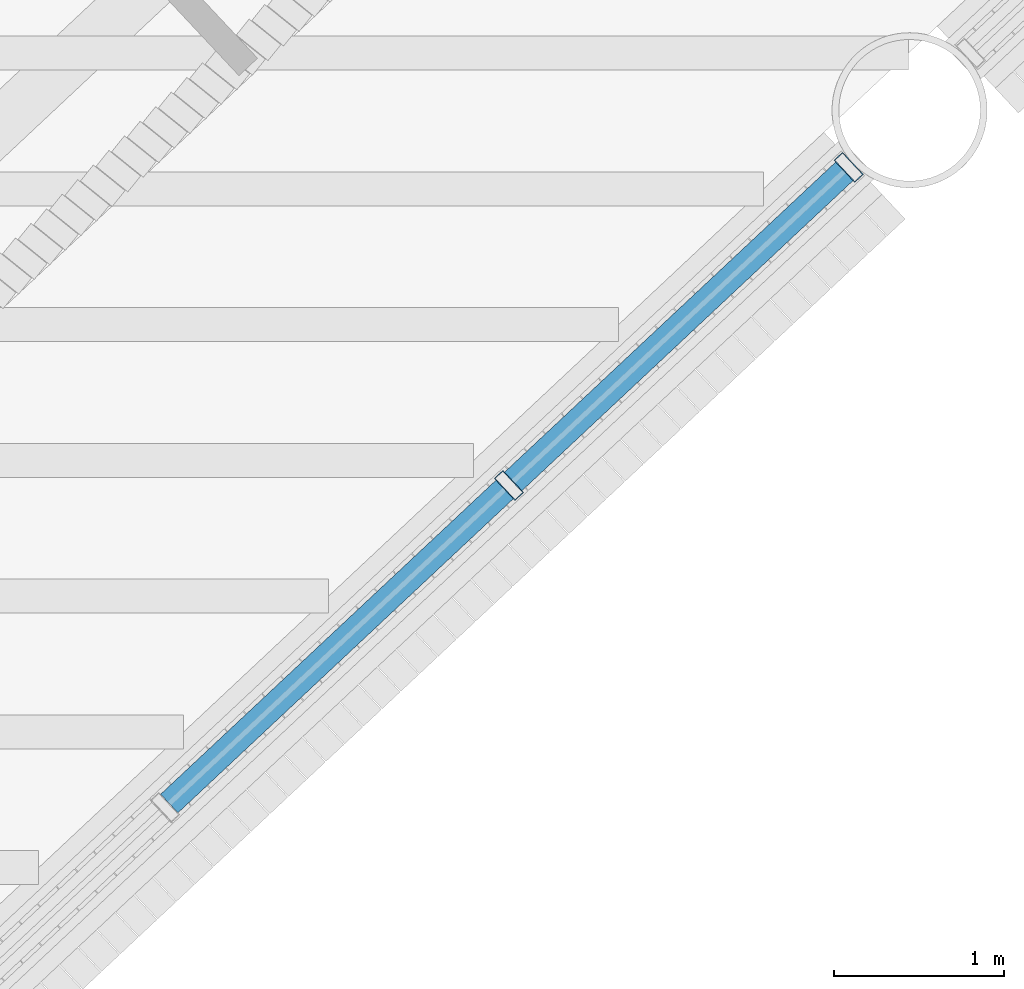
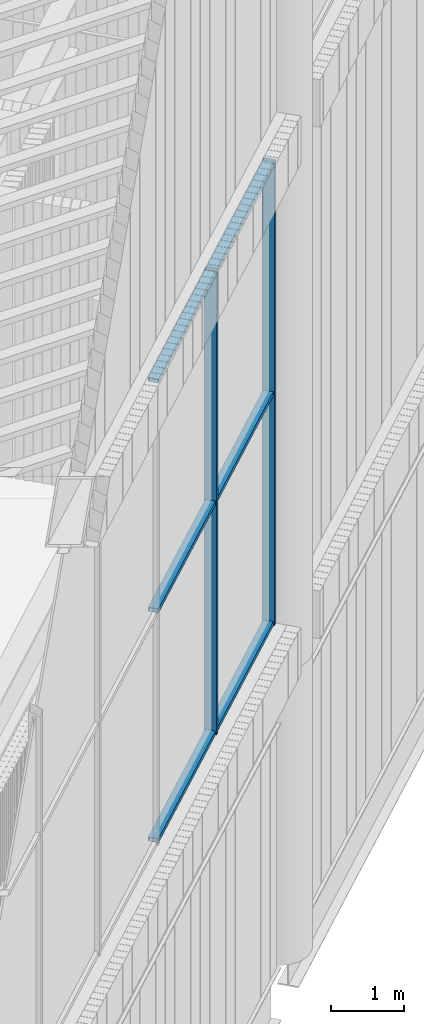
# One storey, part 62 of 117: 8 members, 1 element without a shape of its own.
"""IFC4 building model written with IfcOpenShell, lengths in metres."""

from ifc_helpers import new_model, si_unit, direction, frame, origin, origin_2d, place, context, subcontext, project, spatial, hollow_rectangle, extrude, material, layer, layer_set, material_profile, profile_set, type_object, element, aggregate, save


model = new_model("IFC4")

# Units and contexts
model_context = context("Model", 3, precision=1e-05, world=origin(), true_north=direction((0.0, 1.0)))
body_context = subcontext(model_context, "Body", "Model", "MODEL_VIEW")
ifc_project = project(units=[si_unit("LENGTHUNIT", "METRE"), si_unit("AREAUNIT", "SQUARE_METRE"), si_unit("VOLUMEUNIT", "CUBIC_METRE"), si_unit("PLANEANGLEUNIT", "RADIAN"), si_unit("MASSUNIT", "GRAM", prefix="KILO")], contexts=[model_context])

# Site, building, storey
site_placement = place(None, origin())
site = spatial("IfcSite", under=ifc_project, at=site_placement, CompositionType="ELEMENT")
building_placement = place(site_placement, origin())
building = spatial("IfcBuilding", under=site, at=building_placement, Name="Tarsis Ring Headquarters", CompositionType="ELEMENT")
storey_placement = place(building_placement, frame((0.0, 0.0, 403.60009765625)))
storey = spatial("IfcBuildingStorey", under=building, at=storey_placement, Name="L95", CompositionType="ELEMENT", Elevation=403.60009765625)

# Curtain wall, members
ifc_material_1 = material(Name="Aluminium curtain wall", Category="aluminium")
ifc_layer = layer(ifc_material_1, 0.179931640625)
ifc_layer_set = layer_set([ifc_layer], Name="Curtain wall crown glazing")
curtain_wall_type = type_object("IfcCurtainWallType", Name="Curtain wall crown glazing", PredefinedType="NOTDEFINED", material=ifc_layer_set)
curtain_wall_placement = place(storey_placement, origin())
curtain_wall = element("IfcCurtainWall", 1, at=curtain_wall_placement, inside=storey, type_object=curtain_wall_type, Name="Crown glazing L3", PredefinedType="NOTDEFINED")
ifc_material_2 = material(Name="Aluminium mullion", Category="aluminium")
ifc_material_profile_1 = material_profile(ifc_material_2, hollow_rectangle(XDim=0.179931640625, YDim=0.070068359375, WallThickness=0.0048828125, at=origin_2d()), Name="RHS 180x70x5")
ifc_profile_set_1 = profile_set([ifc_material_profile_1], Name="Aluminium mullion")
member_type_1 = type_object("IfcMemberType", Name="Crown glazing mullion RHS 180x70x5", PredefinedType="MULLION", material=ifc_profile_set_1)
member_1_placement = place(storey_placement, frame((21.426025390625, -27.612060546875, 5.7998046875), z_axis=(0.0, 0.0, 1.0), x_axis=(-0.683528553678, 0.729923774312, 0.0)))
member_1 = element("IfcMember", 2, at=member_1_placement, type_object=member_type_1, Name="CW-C mullion 5", PredefinedType="MULLION", context=body_context, shape_type="SweptSolid", body=[
    extrude(hollow_rectangle(XDim=0.179931640625, YDim=0.070068359375, WallThickness=0.0048828125, at=origin_2d()), origin(), (0.0, 0.0, 1.0), 7.800048828125),
])
member_2_placement = place(storey_placement, frame((23.427734375, -25.737548828125, 5.7998046875), z_axis=(0.0, 0.0, 1.0), x_axis=(-0.683528553678, 0.729923774312, 0.0)))
member_2 = element("IfcMember", 3, at=member_2_placement, type_object=member_type_1, Name="CW-C mullion 6", PredefinedType="MULLION", context=body_context, shape_type="SweptSolid", body=[
    extrude(hollow_rectangle(XDim=0.179931640625, YDim=0.070068359375, WallThickness=0.0048828125, at=origin_2d()), origin(), (0.0, 0.0, 1.0), 7.800048828125),
])
ifc_material_3 = material(Name="Aluminium transom", Category="aluminium")
ifc_material_profile_2 = material_profile(ifc_material_3, hollow_rectangle(XDim=0.14990234375, YDim=0.070068359375, WallThickness=0.0048828125, at=origin_2d()), Name="RHS 150x70x5")
ifc_profile_set_2 = profile_set([ifc_material_profile_2], Name="Aluminium transom")
member_type_2 = type_object("IfcMemberType", Name="Crown glazing transom RHS 150x70x5", PredefinedType="USERDEFINED", material=ifc_profile_set_2)
member_3_placement = place(storey_placement, frame((19.424560546875, -29.486328125, 5.8349609375), z_axis=(0.729947680823, 0.683503023593, 0.0), x_axis=(-0.683503023593, 0.729947680823, 0.0)))
member_3 = element("IfcMember", 4, at=member_3_placement, type_object=member_type_2, Name="CW-C transom 4.1", ObjectType="TRANSOM", PredefinedType="USERDEFINED", context=body_context, shape_type="SweptSolid", body=[
    extrude(hollow_rectangle(XDim=0.14990234375, YDim=0.070068359375, WallThickness=0.0048828125, at=origin_2d()), origin(), (0.0, 0.0, 1.0), 2.70703125),
])
member_4_placement = place(storey_placement, frame((19.424560546875, -29.486328125, 9.699951171875), z_axis=(0.729947680823, 0.683503023593, 0.0), x_axis=(-0.683503023593, 0.729947680823, 0.0)))
member_4 = element("IfcMember", 5, at=member_4_placement, type_object=member_type_2, Name="CW-C transom 4.2", ObjectType="TRANSOM", PredefinedType="USERDEFINED", context=body_context, shape_type="SweptSolid", body=[
    extrude(hollow_rectangle(XDim=0.14990234375, YDim=0.070068359375, WallThickness=0.0048828125, at=origin_2d()), origin(), (0.0, 0.0, 1.0), 2.70703125),
])
member_5_placement = place(storey_placement, frame((19.424560546875, -29.486328125, 13.56494140625), z_axis=(0.729947680823, 0.683503023593, 0.0), x_axis=(-0.683503023593, 0.729947680823, 0.0)))
member_5 = element("IfcMember", 6, at=member_5_placement, type_object=member_type_2, Name="CW-C transom 4.3", ObjectType="TRANSOM", PredefinedType="USERDEFINED", context=body_context, shape_type="SweptSolid", body=[
    extrude(hollow_rectangle(XDim=0.14990234375, YDim=0.070068359375, WallThickness=0.0048828125, at=origin_2d()), origin(), (0.0, 0.0, 1.0), 2.70703125),
])
member_6_placement = place(storey_placement, frame((21.45166015625, -27.588134765625, 5.8349609375), z_axis=(0.729887549308, 0.683567235439, 0.0), x_axis=(-0.683567235439, 0.729887549308, 0.0)))
member_6 = element("IfcMember", 7, at=member_6_placement, type_object=member_type_2, Name="CW-C transom 5.1", ObjectType="TRANSOM", PredefinedType="USERDEFINED", context=body_context, shape_type="SweptSolid", body=[
    extrude(hollow_rectangle(XDim=0.14990234375, YDim=0.070068359375, WallThickness=0.0048828125, at=origin_2d()), origin(), (0.0, 0.0, 1.0), 2.67236328125),
])
member_7_placement = place(storey_placement, frame((21.45166015625, -27.588134765625, 9.699951171875), z_axis=(0.729887549308, 0.683567235439, 0.0), x_axis=(-0.683567235439, 0.729887549308, 0.0)))
member_7 = element("IfcMember", 8, at=member_7_placement, type_object=member_type_2, Name="CW-C transom 5.2", ObjectType="TRANSOM", PredefinedType="USERDEFINED", context=body_context, shape_type="SweptSolid", body=[
    extrude(hollow_rectangle(XDim=0.14990234375, YDim=0.070068359375, WallThickness=0.0048828125, at=origin_2d()), origin(), (0.0, 0.0, 1.0), 2.67236328125),
])
member_8_placement = place(storey_placement, frame((21.45166015625, -27.588134765625, 13.56494140625), z_axis=(0.729887549308, 0.683567235439, 0.0), x_axis=(-0.683567235439, 0.729887549308, 0.0)))
member_8 = element("IfcMember", 9, at=member_8_placement, type_object=member_type_2, Name="CW-C transom 5.3", ObjectType="TRANSOM", PredefinedType="USERDEFINED", context=body_context, shape_type="SweptSolid", body=[
    extrude(hollow_rectangle(XDim=0.14990234375, YDim=0.070068359375, WallThickness=0.0048828125, at=origin_2d()), origin(), (0.0, 0.0, 1.0), 2.67236328125),
])
aggregate(curtain_wall, [member_1, member_2, member_3, member_4, member_5, member_6, member_7, member_8])

save(model, "model.ifc")
